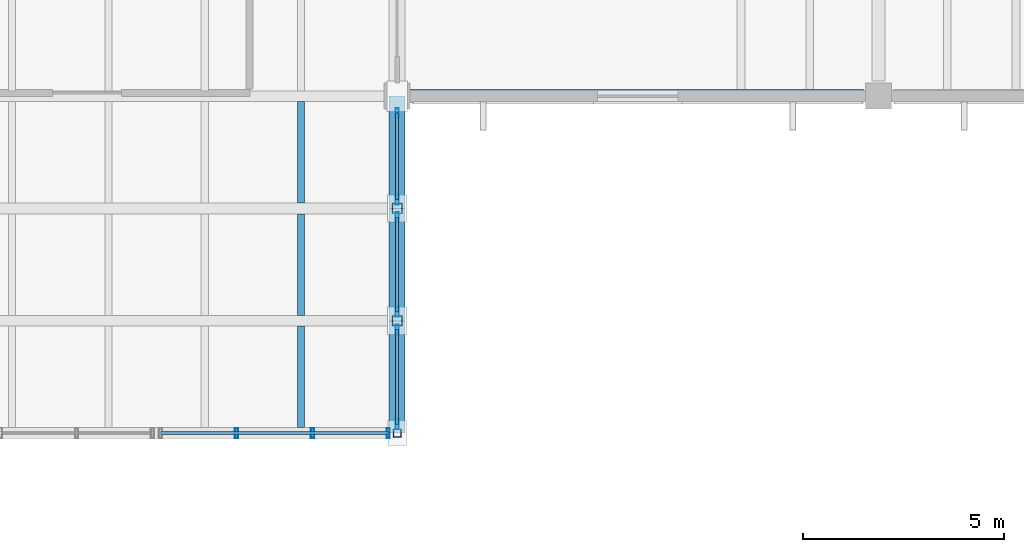
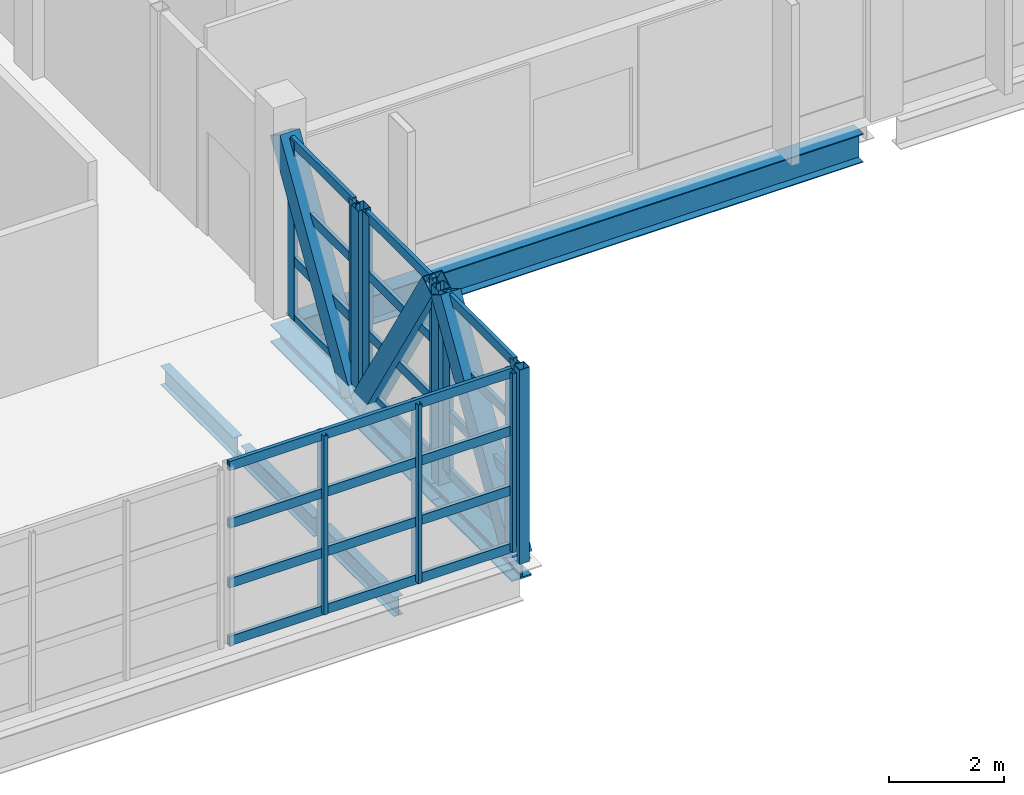
# One storey, part 27 of 63: 31 members, 7 beams, 4 elements without a shape of their own.
"""IFC4 building model written with IfcOpenShell, lengths in metres."""

from ifc_helpers import new_model, si_unit, direction, frame, origin, origin_2d, place, context, subcontext, project, spatial, hollow_rectangle, i_section, extrude, material, material_profile, profile_set, type_object, element, aggregate, save


model = new_model("IFC4")

# Units and contexts
model_context = context("Model", 3, precision=1e-05, world=origin(), true_north=direction((0.0, 1.0)))
body_context = subcontext(model_context, "Body", "Model", "MODEL_VIEW")
ifc_project = project(units=[si_unit("LENGTHUNIT", "METRE"), si_unit("AREAUNIT", "SQUARE_METRE"), si_unit("VOLUMEUNIT", "CUBIC_METRE"), si_unit("PLANEANGLEUNIT", "RADIAN"), si_unit("MASSUNIT", "GRAM", prefix="KILO")], contexts=[model_context])

# Site, building, storey
site_placement = place(None, origin())
site = spatial("IfcSite", under=ifc_project, at=site_placement, CompositionType="ELEMENT")
building_placement = place(site_placement, origin())
building = spatial("IfcBuilding", under=site, at=building_placement, Name="Kelmvaro Bay Concert Hall", CompositionType="ELEMENT")
storey_placement = place(building_placement, frame((0.0, 0.0, 13.800048828125)))
storey = spatial("IfcBuildingStorey", under=building, at=storey_placement, Name="L03", CompositionType="ELEMENT", Elevation=13.800048828125)

# Beams
ifc_material_1 = material(Name="Steel ASTM A992 Grade 50", Category="steel")
ifc_material_profile_1 = material_profile(ifc_material_1, i_section(OverallWidth=0.177978515625, OverallDepth=0.406005859375, WebThickness=0.0078125, FlangeThickness=0.0126953125, at=origin_2d()), Name="W16X40")
ifc_profile_set_1 = profile_set([ifc_material_profile_1], Name="Steel ASTM A992 Grade 50")
beam_type_1 = type_object("IfcBeamType", Name="Bridge Deck Floor Joist W16x40", PredefinedType="JOIST", material=ifc_profile_set_1)
for number, where, z_axis, x_axis, name in (
    (1, (129.60009765625, 7.33349609375, -0.532958984375), (0.0, 1.0, 0.0), (-1.0, 0.0, 0.0), "Bridge Deck Joist L03-01"),
    (2, (129.60009765625, 10.133544921875, -0.532958984375), (0.0, 1.0, 0.0), (-1.0, 0.0, 0.0), "Bridge Deck Joist L03-02"),
    (3, (129.60009765625, 12.93359375, -0.532958984375), (0.0, 1.0, 0.0), (-1.0, 0.0, 0.0), "Bridge Deck Joist L03-03"),
):
    element("IfcBeam", number, at=place(storey_placement, frame(where, z_axis=z_axis, x_axis=x_axis)), inside=storey, type_object=beam_type_1, Name=name, PredefinedType="JOIST", context=body_context, shape_type="SweptSolid", body=[
        extrude(i_section(OverallWidth=0.177978515625, OverallDepth=0.406005859375, WebThickness=0.0078125, FlangeThickness=0.0126953125, at=origin_2d()), origin(), (0.0, 0.0, 1.0), 2.532958984375),
    ])

# Members
ifc_material_2 = material(Name="Steel ASTM A500 Grade C", Category="steel")
ifc_material_profile_2 = material_profile(ifc_material_2, hollow_rectangle(XDim=0.199951171875, YDim=0.199951171875, WallThickness=0.010009765625, at=origin_2d()), Name="HSS200X200X10")
ifc_profile_set_2 = profile_set([ifc_material_profile_2], Name="Steel ASTM A500 Grade C")
member_type_1 = type_object("IfcMemberType", Name="Bridge End Truss Post HSS200x200x10", PredefinedType="STRUT", material=ifc_profile_set_2)
member_1_placement = place(storey_placement, frame((132.0, 7.199951171875, -0.322021484375), z_axis=(0.0, 0.0, 1.0), x_axis=(1.0, 0.0, 0.0)))
element("IfcMember", 4, at=member_1_placement, inside=storey, type_object=member_type_1, Name="Bridge Truss E Vertical Post 01", PredefinedType="STRUT", context=body_context, shape_type="SweptSolid", body=[
    extrude(hollow_rectangle(XDim=0.199951171875, YDim=0.199951171875, WallThickness=0.010009765625, at=origin_2d()), origin(), (0.0, 0.0, 1.0), 4.135009765625),
])
ifc_material_3 = material(Name="Steel ASTM A500 Grade C", Category="steel")
ifc_material_profile_3 = material_profile(ifc_material_3, hollow_rectangle(XDim=0.39990234375, YDim=0.39990234375, WallThickness=0.01611328125, at=origin_2d()), Name="HSS400X400X16")
ifc_profile_set_3 = profile_set([ifc_material_profile_3], Name="Steel ASTM A500 Grade C")
member_type_2 = type_object("IfcMemberType", Name="Bridge Heavy Web Diagonal HSS400x400x16", PredefinedType="BRACE", material=ifc_profile_set_3)
for number, where, z_axis, x_axis, name in (
    (5, (132.0, 7.3525390625, -0.28955078125), (0.0, 0.522610025981, 0.852571850781), (-1.0, 0.0, 0.0), "Bridge Truss E Web Diagonal 01"),
    (6, (132.0, 10.152587890625, 3.780517578125), (0.0, 0.522610025981, -0.852571850781), (-1.0, 0.0, 0.0), "Bridge Truss E Web Diagonal 02"),
    (7, (132.0, 12.95263671875, -0.28955078125), (0.0, 0.522610025981, 0.852571850781), (-1.0, 0.0, 0.0), "Bridge Truss E Web Diagonal 03"),
):
    element("IfcMember", number, at=place(storey_placement, frame(where, z_axis=z_axis, x_axis=x_axis)), inside=storey, type_object=member_type_2, Name=name, PredefinedType="BRACE", context=body_context, shape_type="SweptSolid", body=[
        extrude(hollow_rectangle(XDim=0.39990234375, YDim=0.39990234375, WallThickness=0.01611328125, at=origin_2d()), origin(), (0.0, 0.0, 1.0), 4.77392578125),
    ])

# Curtain wall, members
ifc_material_4 = material(Name="Anodised Aluminium and Low-E Insulated Glazing", Category="aluminium")
curtain_wall_type = type_object("IfcCurtainWallType", Name="Bridge Cantilever Observation Glazing 3980", PredefinedType="USERDEFINED", material=ifc_material_4)
curtain_wall_1_placement = place(storey_placement, origin())
curtain_wall_1 = element("IfcCurtainWall", 8, at=curtain_wall_1_placement, inside=storey, type_object=curtain_wall_type, Name="Unitised Curtain Wall CW-BRG-E01", ObjectType="UNITISED GLAZING", PredefinedType="USERDEFINED")
ifc_material_5 = material(Name="Anodised Extruded Aluminium 6063-T6", Category="aluminium")
ifc_material_profile_4 = material_profile(ifc_material_5, hollow_rectangle(XDim=0.080078125, YDim=0.25, WallThickness=0.005615234375, at=origin_2d()), Name="ALU-MUL-250X80")
ifc_profile_set_4 = profile_set([ifc_material_profile_4], Name="Anodised Extruded Aluminium 6063-T6")
member_type_3 = type_object("IfcMemberType", Name="Bridge Hurricane Mullion ALU 250x80", PredefinedType="MULLION", material=ifc_profile_set_4)
member_2_placement = place(storey_placement, frame((132.0, 9.780029296875, 0.0), z_axis=(0.0, 0.0, 1.0), x_axis=(1.0, 0.0, 0.0)))
member_2 = element("IfcMember", 9, at=member_2_placement, type_object=member_type_3, Name="CW-BRG-E01 Mullion 01", PredefinedType="MULLION", context=body_context, shape_type="SweptSolid", body=[
    extrude(hollow_rectangle(XDim=0.080078125, YDim=0.25, WallThickness=0.005615234375, at=origin_2d()), origin(), (0.0, 0.0, 1.0), 3.800048828125),
])
member_3_placement = place(storey_placement, frame((132.0, 7.419921875, 0.0), z_axis=(0.0, 0.0, 1.0), x_axis=(1.0, 0.0, 0.0)))
member_3 = element("IfcMember", 10, at=member_3_placement, type_object=member_type_3, Name="CW-BRG-E01 Mullion 02", PredefinedType="MULLION", context=body_context, shape_type="SweptSolid", body=[
    extrude(hollow_rectangle(XDim=0.080078125, YDim=0.25, WallThickness=0.005615234375, at=origin_2d()), origin(), (0.0, 0.0, 1.0), 3.800048828125),
])

curtain_wall_2_placement = place(storey_placement, origin())
curtain_wall_2 = element("IfcCurtainWall", 11, at=curtain_wall_2_placement, inside=storey, type_object=curtain_wall_type, Name="Unitised Curtain Wall CW-BRG-E02", ObjectType="UNITISED GLAZING", PredefinedType="USERDEFINED")
member_4_placement = place(storey_placement, frame((132.0, 12.580078125, 0.0), z_axis=(0.0, 0.0, 1.0), x_axis=(1.0, 0.0, 0.0)))
member_4 = element("IfcMember", 12, at=member_4_placement, type_object=member_type_3, Name="CW-BRG-E02 Mullion 01", PredefinedType="MULLION", context=body_context, shape_type="SweptSolid", body=[
    extrude(hollow_rectangle(XDim=0.080078125, YDim=0.25, WallThickness=0.005615234375, at=origin_2d()), origin(), (0.0, 0.0, 1.0), 3.800048828125),
])
member_5_placement = place(storey_placement, frame((132.0, 10.219970703125, 0.0), z_axis=(0.0, 0.0, 1.0), x_axis=(1.0, 0.0, 0.0)))
member_5 = element("IfcMember", 13, at=member_5_placement, type_object=member_type_3, Name="CW-BRG-E02 Mullion 02", PredefinedType="MULLION", context=body_context, shape_type="SweptSolid", body=[
    extrude(hollow_rectangle(XDim=0.080078125, YDim=0.25, WallThickness=0.005615234375, at=origin_2d()), origin(), (0.0, 0.0, 1.0), 3.800048828125),
])

curtain_wall_3_placement = place(storey_placement, origin())
curtain_wall_3 = element("IfcCurtainWall", 14, at=curtain_wall_3_placement, inside=storey, type_object=curtain_wall_type, Name="Unitised Curtain Wall CW-BRG-E03", ObjectType="UNITISED GLAZING", PredefinedType="USERDEFINED")
member_6_placement = place(storey_placement, frame((132.0, 15.179931640625, 0.0), z_axis=(0.0, 0.0, 1.0), x_axis=(1.0, 0.0, 0.0)))
member_6 = element("IfcMember", 15, at=member_6_placement, type_object=member_type_3, Name="CW-BRG-E03 Mullion 01", PredefinedType="MULLION", context=body_context, shape_type="SweptSolid", body=[
    extrude(hollow_rectangle(XDim=0.080078125, YDim=0.25, WallThickness=0.005615234375, at=origin_2d()), origin(), (0.0, 0.0, 1.0), 3.800048828125),
])
member_7_placement = place(storey_placement, frame((132.0, 13.02001953125, 0.0), z_axis=(0.0, 0.0, 1.0), x_axis=(1.0, 0.0, 0.0)))
member_7 = element("IfcMember", 16, at=member_7_placement, type_object=member_type_3, Name="CW-BRG-E03 Mullion 02", PredefinedType="MULLION", context=body_context, shape_type="SweptSolid", body=[
    extrude(hollow_rectangle(XDim=0.080078125, YDim=0.25, WallThickness=0.005615234375, at=origin_2d()), origin(), (0.0, 0.0, 1.0), 3.800048828125),
])

curtain_wall_4_placement = place(storey_placement, origin())
curtain_wall_4 = element("IfcCurtainWall", 17, at=curtain_wall_4_placement, inside=storey, type_object=curtain_wall_type, Name="Unitised Curtain Wall CW-BRG-SEND2", ObjectType="UNITISED GLAZING", PredefinedType="USERDEFINED")
member_8_placement = place(storey_placement, frame((131.780029296875, 7.199951171875, 0.0), z_axis=(0.0, 0.0, 1.0), x_axis=(1.0, 0.0, 0.0)))
member_8 = element("IfcMember", 18, at=member_8_placement, type_object=member_type_3, Name="CW-BRG-SEND2 Mullion 01", PredefinedType="MULLION", context=body_context, shape_type="SweptSolid", body=[
    extrude(hollow_rectangle(XDim=0.080078125, YDim=0.25, WallThickness=0.005615234375, at=origin_2d()), origin(), (0.0, 0.0, 1.0), 3.800048828125),
])
member_9_placement = place(storey_placement, frame((129.88671875, 7.199951171875, 0.0), z_axis=(0.0, 0.0, 1.0), x_axis=(1.0, 0.0, 0.0)))
member_9 = element("IfcMember", 19, at=member_9_placement, type_object=member_type_3, Name="CW-BRG-SEND2 Mullion 02", PredefinedType="MULLION", context=body_context, shape_type="SweptSolid", body=[
    extrude(hollow_rectangle(XDim=0.080078125, YDim=0.25, WallThickness=0.005615234375, at=origin_2d()), origin(), (0.0, 0.0, 1.0), 3.800048828125),
])
member_10_placement = place(storey_placement, frame((127.993408203125, 7.199951171875, 0.0), z_axis=(0.0, 0.0, 1.0), x_axis=(1.0, 0.0, 0.0)))
member_10 = element("IfcMember", 20, at=member_10_placement, type_object=member_type_3, Name="CW-BRG-SEND2 Mullion 03", PredefinedType="MULLION", context=body_context, shape_type="SweptSolid", body=[
    extrude(hollow_rectangle(XDim=0.080078125, YDim=0.25, WallThickness=0.005615234375, at=origin_2d()), origin(), (0.0, 0.0, 1.0), 3.800048828125),
])

# Member
ifc_material_6 = material(Name="Anodised Extruded Aluminium 6063-T6", Category="aluminium")
ifc_material_profile_5 = material_profile(ifc_material_6, hollow_rectangle(XDim=0.074951171875, YDim=0.199951171875, WallThickness=0.0048828125, at=origin_2d()), Name="ALU-TRN-200X75")
ifc_profile_set_5 = profile_set([ifc_material_profile_5], Name="Anodised Extruded Aluminium 6063-T6")
member_type_4 = type_object("IfcMemberType", Name="Bridge Hurricane Transom ALU 200x75", PredefinedType="USERDEFINED", material=ifc_profile_set_5)
member_11_placement = place(storey_placement, frame((132.0, 9.780029296875, 0.0400390625), z_axis=(0.0, -1.0, 0.0), x_axis=(1.0, 0.0, 0.0)))
member_11 = element("IfcMember", 21, at=member_11_placement, type_object=member_type_4, Name="CW-BRG-E01 Transom 01", ObjectType="TRANSOM", PredefinedType="USERDEFINED", context=body_context, shape_type="SweptSolid", body=[
    extrude(hollow_rectangle(XDim=0.074951171875, YDim=0.199951171875, WallThickness=0.0048828125, at=origin_2d()), origin(), (0.0, 0.0, 1.0), 2.360107421875),
])

member_12_placement = place(storey_placement, frame((132.0, 9.780029296875, 1.2666015625), z_axis=(0.0, -1.0, 0.0), x_axis=(1.0, 0.0, 0.0)))
member_12 = element("IfcMember", 22, at=member_12_placement, type_object=member_type_4, Name="CW-BRG-E01 Transom 02", ObjectType="TRANSOM", PredefinedType="USERDEFINED", context=body_context, shape_type="SweptSolid", body=[
    extrude(hollow_rectangle(XDim=0.074951171875, YDim=0.199951171875, WallThickness=0.0048828125, at=origin_2d()), origin(), (0.0, 0.0, 1.0), 2.360107421875),
])

member_13_placement = place(storey_placement, frame((132.0, 9.780029296875, 2.533203125), z_axis=(0.0, -1.0, 0.0), x_axis=(1.0, 0.0, 0.0)))
member_13 = element("IfcMember", 23, at=member_13_placement, type_object=member_type_4, Name="CW-BRG-E01 Transom 03", ObjectType="TRANSOM", PredefinedType="USERDEFINED", context=body_context, shape_type="SweptSolid", body=[
    extrude(hollow_rectangle(XDim=0.074951171875, YDim=0.199951171875, WallThickness=0.0048828125, at=origin_2d()), origin(), (0.0, 0.0, 1.0), 2.360107421875),
])

member_14_placement = place(storey_placement, frame((132.0, 9.780029296875, 3.760009765625), z_axis=(0.0, -1.0, 0.0), x_axis=(1.0, 0.0, 0.0)))
member_14 = element("IfcMember", 24, at=member_14_placement, type_object=member_type_4, Name="CW-BRG-E01 Transom 04", ObjectType="TRANSOM", PredefinedType="USERDEFINED", context=body_context, shape_type="SweptSolid", body=[
    extrude(hollow_rectangle(XDim=0.074951171875, YDim=0.199951171875, WallThickness=0.0048828125, at=origin_2d()), origin(), (0.0, 0.0, 1.0), 2.360107421875),
])

aggregate(curtain_wall_1, [member_2, member_3, member_11, member_12, member_13, member_14])

member_15_placement = place(storey_placement, frame((132.0, 12.580078125, 0.0400390625), z_axis=(0.0, -1.0, 0.0), x_axis=(1.0, 0.0, 0.0)))
member_15 = element("IfcMember", 25, at=member_15_placement, type_object=member_type_4, Name="CW-BRG-E02 Transom 01", ObjectType="TRANSOM", PredefinedType="USERDEFINED", context=body_context, shape_type="SweptSolid", body=[
    extrude(hollow_rectangle(XDim=0.074951171875, YDim=0.199951171875, WallThickness=0.0048828125, at=origin_2d()), origin(), (0.0, 0.0, 1.0), 2.360107421875),
])

member_16_placement = place(storey_placement, frame((132.0, 12.580078125, 1.2666015625), z_axis=(0.0, -1.0, 0.0), x_axis=(1.0, 0.0, 0.0)))
member_16 = element("IfcMember", 26, at=member_16_placement, type_object=member_type_4, Name="CW-BRG-E02 Transom 02", ObjectType="TRANSOM", PredefinedType="USERDEFINED", context=body_context, shape_type="SweptSolid", body=[
    extrude(hollow_rectangle(XDim=0.074951171875, YDim=0.199951171875, WallThickness=0.0048828125, at=origin_2d()), origin(), (0.0, 0.0, 1.0), 2.360107421875),
])

member_17_placement = place(storey_placement, frame((132.0, 12.580078125, 2.533203125), z_axis=(0.0, -1.0, 0.0), x_axis=(1.0, 0.0, 0.0)))
member_17 = element("IfcMember", 27, at=member_17_placement, type_object=member_type_4, Name="CW-BRG-E02 Transom 03", ObjectType="TRANSOM", PredefinedType="USERDEFINED", context=body_context, shape_type="SweptSolid", body=[
    extrude(hollow_rectangle(XDim=0.074951171875, YDim=0.199951171875, WallThickness=0.0048828125, at=origin_2d()), origin(), (0.0, 0.0, 1.0), 2.360107421875),
])

member_18_placement = place(storey_placement, frame((132.0, 12.580078125, 3.760009765625), z_axis=(0.0, -1.0, 0.0), x_axis=(1.0, 0.0, 0.0)))
member_18 = element("IfcMember", 28, at=member_18_placement, type_object=member_type_4, Name="CW-BRG-E02 Transom 04", ObjectType="TRANSOM", PredefinedType="USERDEFINED", context=body_context, shape_type="SweptSolid", body=[
    extrude(hollow_rectangle(XDim=0.074951171875, YDim=0.199951171875, WallThickness=0.0048828125, at=origin_2d()), origin(), (0.0, 0.0, 1.0), 2.360107421875),
])

aggregate(curtain_wall_2, [member_4, member_5, member_15, member_16, member_17, member_18])

member_19_placement = place(storey_placement, frame((132.0, 15.179931640625, 0.0400390625), z_axis=(0.0, -1.0, 0.0), x_axis=(1.0, 0.0, 0.0)))
member_19 = element("IfcMember", 29, at=member_19_placement, type_object=member_type_4, Name="CW-BRG-E03 Transom 01", ObjectType="TRANSOM", PredefinedType="USERDEFINED", context=body_context, shape_type="SweptSolid", body=[
    extrude(hollow_rectangle(XDim=0.074951171875, YDim=0.199951171875, WallThickness=0.0048828125, at=origin_2d()), origin(), (0.0, 0.0, 1.0), 2.159912109375),
])

member_20_placement = place(storey_placement, frame((132.0, 15.179931640625, 1.2666015625), z_axis=(0.0, -1.0, 0.0), x_axis=(1.0, 0.0, 0.0)))
member_20 = element("IfcMember", 30, at=member_20_placement, type_object=member_type_4, Name="CW-BRG-E03 Transom 02", ObjectType="TRANSOM", PredefinedType="USERDEFINED", context=body_context, shape_type="SweptSolid", body=[
    extrude(hollow_rectangle(XDim=0.074951171875, YDim=0.199951171875, WallThickness=0.0048828125, at=origin_2d()), origin(), (0.0, 0.0, 1.0), 2.159912109375),
])

member_21_placement = place(storey_placement, frame((132.0, 15.179931640625, 2.533203125), z_axis=(0.0, -1.0, 0.0), x_axis=(1.0, 0.0, 0.0)))
member_21 = element("IfcMember", 31, at=member_21_placement, type_object=member_type_4, Name="CW-BRG-E03 Transom 03", ObjectType="TRANSOM", PredefinedType="USERDEFINED", context=body_context, shape_type="SweptSolid", body=[
    extrude(hollow_rectangle(XDim=0.074951171875, YDim=0.199951171875, WallThickness=0.0048828125, at=origin_2d()), origin(), (0.0, 0.0, 1.0), 2.159912109375),
])

member_22_placement = place(storey_placement, frame((132.0, 15.179931640625, 3.760009765625), z_axis=(0.0, -1.0, 0.0), x_axis=(1.0, 0.0, 0.0)))
member_22 = element("IfcMember", 32, at=member_22_placement, type_object=member_type_4, Name="CW-BRG-E03 Transom 04", ObjectType="TRANSOM", PredefinedType="USERDEFINED", context=body_context, shape_type="SweptSolid", body=[
    extrude(hollow_rectangle(XDim=0.074951171875, YDim=0.199951171875, WallThickness=0.0048828125, at=origin_2d()), origin(), (0.0, 0.0, 1.0), 2.159912109375),
])

aggregate(curtain_wall_3, [member_6, member_7, member_19, member_20, member_21, member_22])

member_23_placement = place(storey_placement, frame((131.780029296875, 7.199951171875, 0.0400390625), z_axis=(-1.0, 0.0, 0.0), x_axis=(0.0, -1.0, 0.0)))
member_23 = element("IfcMember", 33, at=member_23_placement, type_object=member_type_4, Name="CW-BRG-SEND2 Transom 01", ObjectType="TRANSOM", PredefinedType="USERDEFINED", context=body_context, shape_type="SweptSolid", body=[
    extrude(hollow_rectangle(XDim=0.074951171875, YDim=0.199951171875, WallThickness=0.0048828125, at=origin_2d()), origin(), (0.0, 0.0, 1.0), 5.679931640625),
])

member_24_placement = place(storey_placement, frame((131.780029296875, 7.199951171875, 1.2666015625), z_axis=(-1.0, 0.0, 0.0), x_axis=(0.0, -1.0, 0.0)))
member_24 = element("IfcMember", 34, at=member_24_placement, type_object=member_type_4, Name="CW-BRG-SEND2 Transom 02", ObjectType="TRANSOM", PredefinedType="USERDEFINED", context=body_context, shape_type="SweptSolid", body=[
    extrude(hollow_rectangle(XDim=0.074951171875, YDim=0.199951171875, WallThickness=0.0048828125, at=origin_2d()), origin(), (0.0, 0.0, 1.0), 5.679931640625),
])

member_25_placement = place(storey_placement, frame((131.780029296875, 7.199951171875, 2.533203125), z_axis=(-1.0, 0.0, 0.0), x_axis=(0.0, -1.0, 0.0)))
member_25 = element("IfcMember", 35, at=member_25_placement, type_object=member_type_4, Name="CW-BRG-SEND2 Transom 03", ObjectType="TRANSOM", PredefinedType="USERDEFINED", context=body_context, shape_type="SweptSolid", body=[
    extrude(hollow_rectangle(XDim=0.074951171875, YDim=0.199951171875, WallThickness=0.0048828125, at=origin_2d()), origin(), (0.0, 0.0, 1.0), 5.679931640625),
])

member_26_placement = place(storey_placement, frame((131.780029296875, 7.199951171875, 3.760009765625), z_axis=(-1.0, 0.0, 0.0), x_axis=(0.0, -1.0, 0.0)))
member_26 = element("IfcMember", 36, at=member_26_placement, type_object=member_type_4, Name="CW-BRG-SEND2 Transom 04", ObjectType="TRANSOM", PredefinedType="USERDEFINED", context=body_context, shape_type="SweptSolid", body=[
    extrude(hollow_rectangle(XDim=0.074951171875, YDim=0.199951171875, WallThickness=0.0048828125, at=origin_2d()), origin(), (0.0, 0.0, 1.0), 5.679931640625),
])

aggregate(curtain_wall_4, [member_8, member_9, member_10, member_23, member_24, member_25, member_26])

# Beams
ifc_material_7 = material(Name="Steel ASTM A992 Grade 50", Category="steel")
ifc_material_profile_6 = material_profile(ifc_material_7, i_section(OverallWidth=0.39892578125, OverallDepth=0.385986328125, WebThickness=0.02099609375, FlangeThickness=0.033203125, at=origin_2d()), Name="W14X176")
ifc_profile_set_6 = profile_set([ifc_material_profile_6], Name="Steel ASTM A992 Grade 50")
beam_type_2 = type_object("IfcBeamType", Name="Bridge Truss Bottom Chord W14x176", PredefinedType="BEAM", material=ifc_profile_set_6)
for number, where, z_axis, x_axis, name in (
    (37, (132.0, 7.199951171875, -0.52294921875), (0.0, 1.0, 0.0), (-1.0, 0.0, 0.0), "Bridge Truss E Bottom Chord 01"),
    (38, (132.0, 10.0, -0.52294921875), (0.0, 1.0, 0.0), (-1.0, 0.0, 0.0), "Bridge Truss E Bottom Chord 02"),
    (39, (132.0, 12.800048828125, -0.52294921875), (0.0, 1.0, 0.0), (-1.0, 0.0, 0.0), "Bridge Truss E Bottom Chord 03"),
):
    element("IfcBeam", number, at=place(storey_placement, frame(where, z_axis=z_axis, x_axis=x_axis)), inside=storey, type_object=beam_type_2, Name=name, PredefinedType="BEAM", context=body_context, shape_type="SweptSolid", body=[
        extrude(i_section(OverallWidth=0.39892578125, OverallDepth=0.385986328125, WebThickness=0.02099609375, FlangeThickness=0.033203125, at=origin_2d()), origin(), (0.0, 0.0, 1.0), 2.800048828125),
    ])

# Members
ifc_material_8 = material(Name="Steel ASTM A500 Grade C", Category="steel")
ifc_material_profile_7 = material_profile(ifc_material_8, hollow_rectangle(XDim=0.25, YDim=0.25, WallThickness=0.010009765625, at=origin_2d()), Name="HSS250X250X10")
ifc_profile_set_7 = profile_set([ifc_material_profile_7], Name="Steel ASTM A500 Grade C")
member_type_5 = type_object("IfcMemberType", Name="Bridge Truss Vertical Post HSS250x250x10", PredefinedType="STRUT", material=ifc_profile_set_7)
for number, where, z_axis, x_axis, name in (
    (40, (132.0, 10.0, -0.322021484375), (0.0, 0.0, 1.0), (1.0, 0.0, 0.0), "Bridge Truss E Vertical Post 02"),
    (41, (132.0, 12.800048828125, -0.322021484375), (0.0, 0.0, 1.0), (1.0, 0.0, 0.0), "Bridge Truss E Vertical Post 03"),
):
    element("IfcMember", number, at=place(storey_placement, frame(where, z_axis=z_axis, x_axis=x_axis)), inside=storey, type_object=member_type_5, Name=name, PredefinedType="STRUT", context=body_context, shape_type="SweptSolid", body=[
        extrude(hollow_rectangle(XDim=0.25, YDim=0.25, WallThickness=0.010009765625, at=origin_2d()), origin(), (0.0, 0.0, 1.0), 4.135009765625),
    ])

# Beam
ifc_material_9 = material(Name="Steel ASTM A992 Grade 50", Category="steel")
ifc_material_profile_8 = material_profile(ifc_material_9, i_section(OverallWidth=0.323974609375, OverallDepth=0.611083984375, WebThickness=0.0126953125, FlangeThickness=0.01904296875, at=origin_2d()), Name="W24X104")
ifc_profile_set_8 = profile_set([ifc_material_profile_8], Name="Steel ASTM A992 Grade 50")
beam_type_3 = type_object("IfcBeamType", Name="Foyer Frame Girder W24x104", PredefinedType="BEAM", material=ifc_profile_set_8)
beam_placement = place(storey_placement, frame((132.200439453125, 15.60009765625, -0.62548828125), z_axis=(1.0, 0.0, 0.0), x_axis=(0.0, 1.0, 0.0)))
element("IfcBeam", 42, at=beam_placement, inside=storey, type_object=beam_type_3, Name="L03 Girder BM-L03-EW-1339", PredefinedType="BEAM", context=body_context, shape_type="SweptSolid", body=[
    extrude(i_section(OverallWidth=0.323974609375, OverallDepth=0.611083984375, WebThickness=0.0126953125, FlangeThickness=0.01904296875, at=origin_2d()), origin(), (0.0, 0.0, 1.0), 11.424560546875),
])

save(model, "model.ifc")
